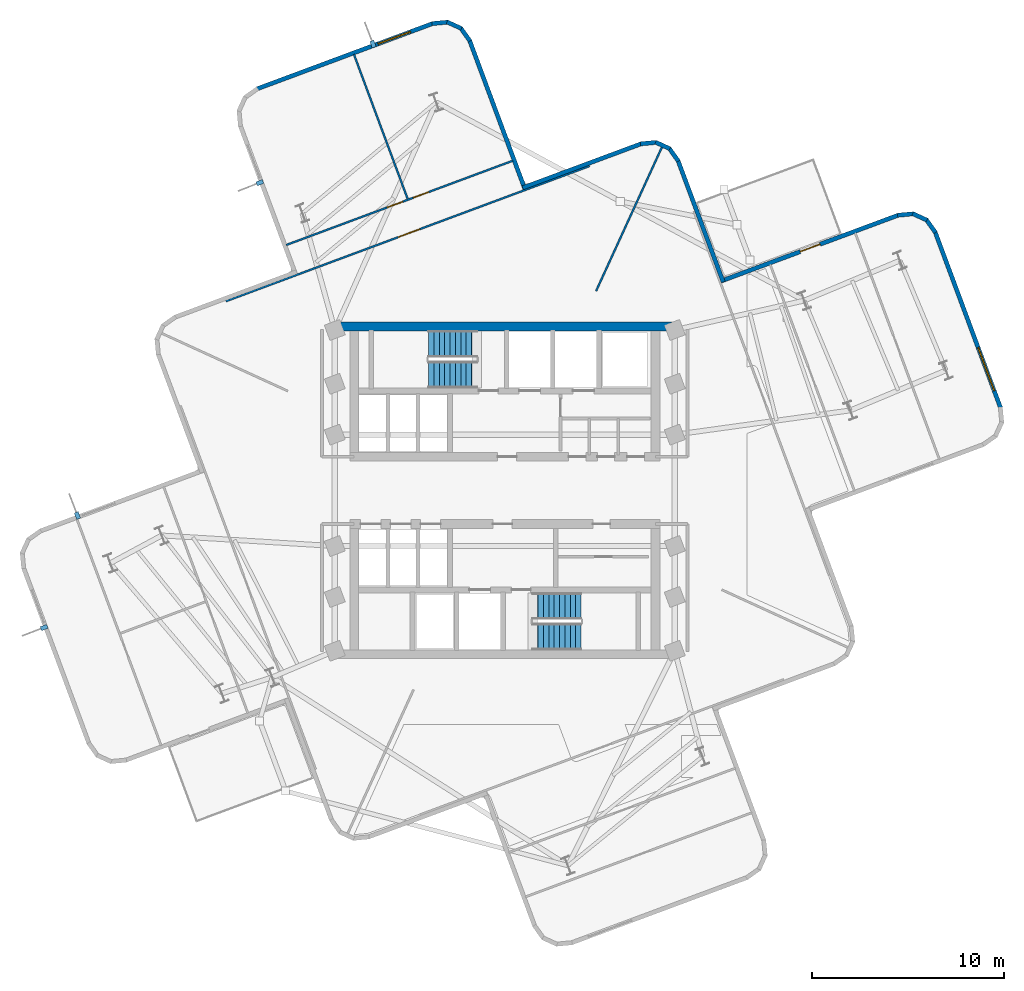
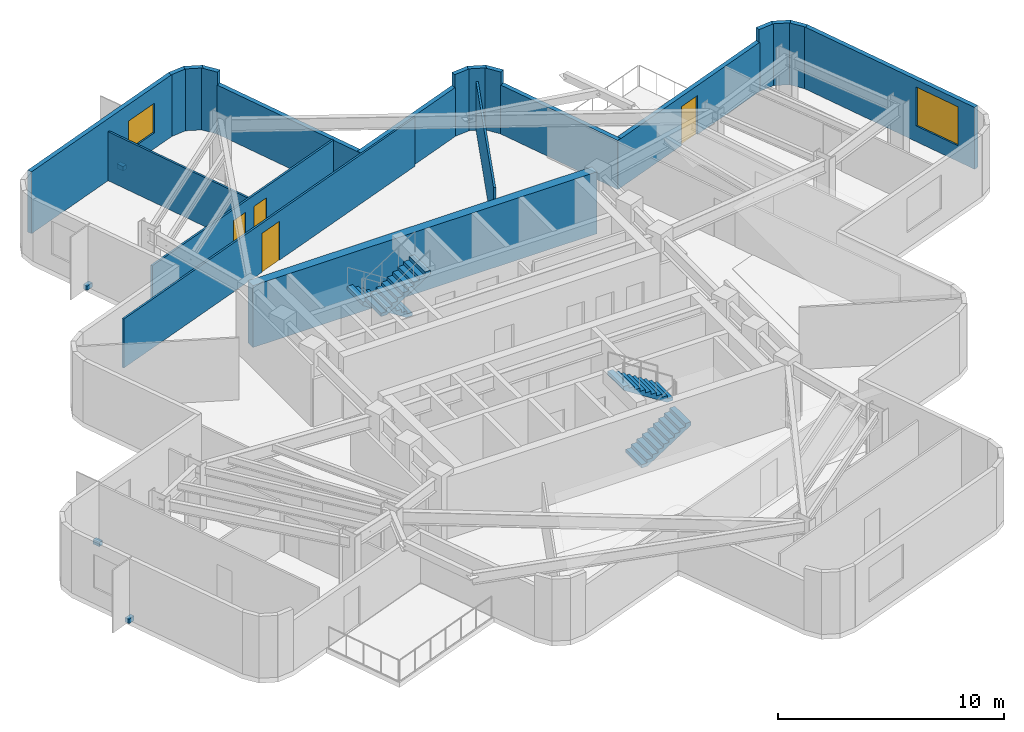
# One storey, part 5 of 8: 20 walls, 4 discrete accessories, 4 doors, 4 stair flights, 2 windows, 6 openings, 2 elements without a shape of their own.
"""IFC4 building model written with IfcOpenShell, lengths in metres."""

from ifc_helpers import new_model, si_unit, direction, frame, frame_2d, origin, origin_2d, place, context, subcontext, project, spatial, polyline, rectangle, outline, extrude, material, layer, layer_set, type_object, element, fill, aggregate, save


model = new_model("IFC4")

# Units and contexts
model_context = context("Model", 3, precision=1e-05, world=origin(), true_north=direction((0.0, 1.0)))
body_context = subcontext(model_context, "Body", "Model", "MODEL_VIEW")
ifc_project = project(units=[si_unit("LENGTHUNIT", "METRE"), si_unit("AREAUNIT", "SQUARE_METRE"), si_unit("VOLUMEUNIT", "CUBIC_METRE"), si_unit("PLANEANGLEUNIT", "RADIAN"), si_unit("MASSUNIT", "GRAM", prefix="KILO")], contexts=[model_context])

# Site, building, storey
site_placement = place(None, origin())
site = spatial("IfcSite", under=ifc_project, at=site_placement, CompositionType="ELEMENT")
building_placement = place(site_placement, origin())
building = spatial("IfcBuilding", under=site, at=building_placement, Name="Solmarez Civic Tower", CompositionType="ELEMENT")
storey_placement = place(building_placement, frame((0.0, 0.0, 166.679931640625)))
storey = spatial("IfcBuildingStorey", under=building, at=storey_placement, Name="L44", CompositionType="ELEMENT", Elevation=166.679931640625)

# Wall
ifc_material_1 = material(Name="Concrete C50/60", Category="concrete")
ifc_layer_1 = layer(ifc_material_1, 0.449951171875)
ifc_layer_set_1 = layer_set([ifc_layer_1], Name="Concrete C50/60")
wall_type_1 = type_object("IfcWallType", Name="WALL-CORE-450", PredefinedType="SHEAR", material=ifc_layer_set_1)
wall_1_placement = place(storey_placement, frame((-8.780029296875, 8.534912109375, 0.0), z_axis=(0.0, 0.0, 1.0), x_axis=(1.0, 0.0, 0.0)))
element("IfcWall", 1, at=wall_1_placement, inside=storey, type_object=wall_type_1, Name="L44 Split-Core Structural Wall NCW-N-L44", PredefinedType="SHEAR", context=body_context, shape_type="SweptSolid", body=[
    extrude(rectangle(XDim=17.56005859375, YDim=0.449951171875, at=frame_2d((8.780029296875, 0.0))), origin(), (0.0, 0.0, 1.0), 3.340087890625),
])

# Wall, opening, window
ifc_material_2 = material(Name="Precast concrete C40/50", Category="concrete")
ifc_layer_2 = layer(ifc_material_2, 0.219970703125)
ifc_layer_set_2 = layer_set([ifc_layer_2], Name="Precast concrete C40/50")
wall_type_2 = type_object("IfcWallType", Name="WALL-EXT-220", PredefinedType="SOLIDWALL", material=ifc_layer_set_2)
wall_2_placement = place(storey_placement, frame((-12.905029296875, 20.902099609375, 0.0), z_axis=(0.0, 0.0, 1.0), x_axis=(0.937245188143, 0.348670987183, 0.0)))
wall_2 = element("IfcWall", 2, at=wall_2_placement, inside=storey, type_object=wall_type_2, Name="L44 Exterior Precast Wall 24", PredefinedType="SOLIDWALL", context=body_context, shape_type="SweptSolid", body=[
    extrude(rectangle(XDim=9.77978515625, YDim=0.219970703125, at=frame_2d((4.889892578125, 0.0))), origin(), (0.0, 0.0, 1.0), 3.340087890625),
])
opening_1_placement = place(wall_2_placement, frame((6.72802734375, 0.0, 0.85009765625)))
opening_1 = element("IfcOpeningElement", 3, at=opening_1_placement, cuts=wall_2, Name="Opening W-12", PredefinedType="OPENING", context=body_context, shape_type="SweptSolid", body=[
    extrude(rectangle(XDim=1.800048828125, YDim=1.60009765625, at=frame_2d((0.89990234375, 0.800048828125))), frame((0.0, 0.119873046875, 0.0), z_axis=(0.0, -1.0, 0.0), x_axis=(1.0, 0.0, 0.0)), (0.0, 0.0, 1.0), 0.239990234375),
])
ifc_material_3 = material(Name="Solar Control Bronze-Tinted Insulating Glass", Category="glass")
window_type_1 = type_object("IfcWindowType", Name="WIN-1800X1600", PartitioningType="SINGLE_PANEL", PredefinedType="WINDOW", material=ifc_material_3)
window_1_placement = place(opening_1_placement, origin())
window_1 = element("IfcWindow", 4, at=window_1_placement, inside=storey, type_object=window_type_1, Name="L44 Exterior Facade Window 24", OverallHeight=1.60009765625, OverallWidth=1.800048828125, PartitioningType="SINGLE_PANEL", PredefinedType="WINDOW", context=body_context, shape_type="SweptSolid", body=[
    extrude(rectangle(XDim=1.800048828125, YDim=1.60009765625, at=frame_2d((0.89990234375, 0.800048828125))), frame((0.0, 0.030029296875, 0.0), z_axis=(0.0, -1.0, 0.0), x_axis=(1.0, 0.0, 0.0)), (0.0, 0.0, 1.0), 0.06005859375),
])
fill(opening_1, window_1)

# Walls
wall_3_placement = place(storey_placement, frame((-3.787109375, 24.301025390625, 0.0), z_axis=(0.0, 0.0, 1.0), x_axis=(0.995637623159, 0.09330446586, 0.0)))
element("IfcWall", 5, at=wall_3_placement, inside=storey, type_object=wall_type_2, Name="L44 Exterior Precast Wall 25", PredefinedType="SOLIDWALL", context=body_context, shape_type="SweptSolid", body=[
    extrude(rectangle(XDim=0.834716796875, YDim=0.219970703125, at=frame_2d((0.41748046875, 0.0))), origin(), (0.0, 0.0, 1.0), 3.340087890625),
])
wall_4_placement = place(storey_placement, frame((-3.00390625, 24.386962890625, 0.0), z_axis=(0.0, 0.0, 1.0), x_axis=(0.909783489843, -0.415083126143, 0.0)))
element("IfcWall", 6, at=wall_4_placement, inside=storey, type_object=wall_type_2, Name="L44 Exterior Precast Wall 26", PredefinedType="SOLIDWALL", context=body_context, shape_type="SweptSolid", body=[
    extrude(rectangle(XDim=0.81884765625, YDim=0.219970703125, at=frame_2d((0.409423828125, 0.0))), origin(), (0.0, 0.0, 1.0), 3.340087890625),
])
wall_5_placement = place(storey_placement, frame((-2.2958984375, 24.076904296875, 0.0), z_axis=(0.0, 0.0, 1.0), x_axis=(0.579048422224, -0.815293152626, 0.0)))
element("IfcWall", 7, at=wall_5_placement, inside=storey, type_object=wall_type_2, Name="L44 Exterior Precast Wall 27", PredefinedType="SOLIDWALL", context=body_context, shape_type="SweptSolid", body=[
    extrude(rectangle(XDim=0.833984375, YDim=0.219970703125, at=frame_2d((0.4169921875, 0.0))), origin(), (0.0, 0.0, 1.0), 3.340087890625),
])
wall_6_placement = place(storey_placement, frame((-1.8359375, 23.43994140625, 0.0), z_axis=(0.0, 0.0, 1.0), x_axis=(0.348617756986, -0.937264988952, 0.0)))
element("IfcWall", 8, at=wall_6_placement, inside=storey, type_object=wall_type_2, Name="L44 Exterior Precast Wall 28", PredefinedType="SOLIDWALL", context=body_context, shape_type="SweptSolid", body=[
    extrude(rectangle(XDim=8.258056640625, YDim=0.219970703125, at=frame_2d((4.12890625, 0.0))), origin(), (0.0, 0.0, 1.0), 2.64404296875),
])
wall_7_placement = place(storey_placement, frame((0.929931640625, 15.7509765625, 0.0), z_axis=(0.0, 0.0, 1.0), x_axis=(0.937223257246, 0.348729932868, 0.0)))
element("IfcWall", 9, at=wall_7_placement, inside=storey, type_object=wall_type_2, Name="L44 Exterior Precast Wall 31", PredefinedType="SOLIDWALL", context=body_context, shape_type="SweptSolid", body=[
    extrude(rectangle(XDim=6.598388671875, YDim=0.219970703125, at=frame_2d((3.29931640625, 0.0))), origin(), (0.0, 0.0, 1.0), 2.64404296875),
])
wall_8_placement = place(storey_placement, frame((7.06591796875, 18.041015625, 0.0), z_axis=(0.0, 0.0, 1.0), x_axis=(0.995637623159, 0.09330446586, 0.0)))
element("IfcWall", 10, at=wall_8_placement, inside=storey, type_object=wall_type_2, Name="L44 Exterior Precast Wall 32", PredefinedType="SOLIDWALL", context=body_context, shape_type="SweptSolid", body=[
    extrude(rectangle(XDim=0.834716796875, YDim=0.219970703125, at=frame_2d((0.41748046875, 0.0))), origin(), (0.0, 0.0, 1.0), 3.340087890625),
])
wall_9_placement = place(storey_placement, frame((7.84912109375, 18.126953125, 0.0), z_axis=(0.0, 0.0, 1.0), x_axis=(0.909783489843, -0.415083126143, 0.0)))
element("IfcWall", 11, at=wall_9_placement, inside=storey, type_object=wall_type_2, Name="L44 Exterior Precast Wall 33", PredefinedType="SOLIDWALL", context=body_context, shape_type="SweptSolid", body=[
    extrude(rectangle(XDim=0.81884765625, YDim=0.219970703125, at=frame_2d((0.409423828125, 0.0))), origin(), (0.0, 0.0, 1.0), 3.340087890625),
])
wall_10_placement = place(storey_placement, frame((8.556884765625, 17.81689453125, 0.0), z_axis=(0.0, 0.0, 1.0), x_axis=(0.579017424022, -0.815315167698, 0.0)))
element("IfcWall", 12, at=wall_10_placement, inside=storey, type_object=wall_type_2, Name="L44 Exterior Precast Wall 34", PredefinedType="SOLIDWALL", context=body_context, shape_type="SweptSolid", body=[
    extrude(rectangle(XDim=0.832763671875, YDim=0.219970703125, at=frame_2d((0.41650390625, 0.0))), origin(), (0.0, 0.0, 1.0), 3.340087890625),
])
wall_11_placement = place(storey_placement, frame((9.01611328125, 17.180908203125, 0.0), z_axis=(0.0, 0.0, 1.0), x_axis=(0.34874699486, -0.937216908499, 0.0)))
element("IfcWall", 13, at=wall_11_placement, inside=storey, type_object=wall_type_2, Name="L44 Exterior Precast Wall 35", PredefinedType="SOLIDWALL", context=body_context, shape_type="SweptSolid", body=[
    extrude(rectangle(XDim=6.75830078125, YDim=0.219970703125, at=frame_2d((3.379150390625, 0.0))), origin(), (0.0, 0.0, 1.0), 2.64404296875),
])

# Wall, opening, door
wall_12_placement = place(storey_placement, frame((11.260009765625, 10.89794921875, 0.0), z_axis=(0.0, 0.0, 1.0), x_axis=(0.937247074189, 0.348665917354, 0.0)))
wall_12 = element("IfcWall", 14, at=wall_12_placement, inside=storey, type_object=wall_type_2, Name="L44 Exterior Precast Wall 38", PredefinedType="SOLIDWALL", context=body_context, shape_type="SweptSolid", body=[
    extrude(rectangle(XDim=9.857666015625, YDim=0.219970703125, at=frame_2d((4.9287109375, 0.0))), origin(), (0.0, 0.0, 1.0), 2.64404296875),
])
opening_2_placement = place(wall_12_placement, frame((4.39990234375, 0.0, 0.0)))
opening_2 = element("IfcOpeningElement", 15, at=opening_2_placement, cuts=wall_12, Name="Opening D-06", PredefinedType="OPENING", context=body_context, shape_type="SweptSolid", body=[
    extrude(rectangle(XDim=1.10009765625, YDim=2.10009765625, at=frame_2d((0.550048828125, 1.050048828125))), frame((0.0, 0.119873046875, 0.0), z_axis=(0.0, -1.0, 0.0), x_axis=(1.0, 0.0, 0.0)), (0.0, 0.0, 1.0), 0.239990234375),
])
ifc_material_4 = material(Name="Bronze Anodised Aluminium Glazed Terrace Door", Category="aluminium")
door_type_1 = type_object("IfcDoorType", Name="DOOR-TERR-1100", OperationType="NOTDEFINED", PredefinedType="DOOR", material=ifc_material_4)
door_1_placement = place(opening_2_placement, origin())
door_1 = element("IfcDoor", 16, at=door_1_placement, inside=storey, type_object=door_type_1, Name="L44 Outdoor Terrace Glazed Door", OperationType="SINGLE_SWING_RIGHT", OverallHeight=2.10009765625, OverallWidth=1.10009765625, PredefinedType="DOOR", context=body_context, shape_type="SweptSolid", body=[
    extrude(rectangle(XDim=1.10009765625, YDim=2.10009765625, at=frame_2d((0.550048828125, 1.050048828125))), frame((0.0, 0.02490234375, 0.0), z_axis=(0.0, -1.0, 0.0), x_axis=(1.0, 0.0, 0.0)), (0.0, 0.0, 1.0), 0.050048828125),
])
fill(opening_2, door_1)

# Walls
wall_13_placement = place(storey_placement, frame((20.450927734375, 14.323974609375, 0.0), z_axis=(0.0, 0.0, 1.0), x_axis=(0.99561041007, 0.093594398126, 0.0)))
element("IfcWall", 17, at=wall_13_placement, inside=storey, type_object=wall_type_2, Name="L44 Exterior Precast Wall 39", PredefinedType="SOLIDWALL", context=body_context, shape_type="SweptSolid", body=[
    extrude(rectangle(XDim=0.834716796875, YDim=0.219970703125, at=frame_2d((0.41748046875, 0.0))), origin(), (0.0, 0.0, 1.0), 3.340087890625),
])
wall_14_placement = place(storey_placement, frame((21.23388671875, 14.409912109375, 0.0), z_axis=(0.0, 0.0, 1.0), x_axis=(0.909384320786, -0.415956917371, 0.0)))
element("IfcWall", 18, at=wall_14_placement, inside=storey, type_object=wall_type_2, Name="L44 Exterior Precast Wall 40", PredefinedType="SOLIDWALL", context=body_context, shape_type="SweptSolid", body=[
    extrude(rectangle(XDim=0.8193359375, YDim=0.219970703125, at=frame_2d((0.40966796875, 0.0))), origin(), (0.0, 0.0, 1.0), 3.340087890625),
])
wall_15_placement = place(storey_placement, frame((21.94091796875, 14.09912109375, 0.0), z_axis=(0.0, 0.0, 1.0), x_axis=(0.581210523844, -0.813753234693, 0.0)))
element("IfcWall", 19, at=wall_15_placement, inside=storey, type_object=wall_type_2, Name="L44 Exterior Precast Wall 41", PredefinedType="SOLIDWALL", context=body_context, shape_type="SweptSolid", body=[
    extrude(rectangle(XDim=0.834716796875, YDim=0.219970703125, at=frame_2d((0.41748046875, 0.0))), origin(), (0.0, 0.0, 1.0), 3.340087890625),
])

# Wall, opening, window
wall_16_placement = place(storey_placement, frame((22.402099609375, 13.462890625, 0.0), z_axis=(0.0, 0.0, 1.0), x_axis=(0.348638358175, -0.937257326037, 0.0)))
wall_16 = element("IfcWall", 20, at=wall_16_placement, inside=storey, type_object=wall_type_2, Name="L44 Exterior Precast Wall 42", PredefinedType="SOLIDWALL", context=body_context, shape_type="SweptSolid", body=[
    extrude(rectangle(XDim=9.78076171875, YDim=0.219970703125, at=frame_2d((4.890380859375, 0.0))), origin(), (0.0, 0.0, 1.0), 3.340087890625),
])
opening_3_placement = place(wall_16_placement, frame((6.428955078125, 0.0, 0.85009765625)))
opening_3 = element("IfcOpeningElement", 21, at=opening_3_placement, cuts=wall_16, Name="Opening W-02", PredefinedType="OPENING", context=body_context, shape_type="SweptSolid", body=[
    extrude(rectangle(XDim=2.39990234375, YDim=2.10009765625, at=frame_2d((1.199951171875, 1.050048828125))), frame((0.0, 0.119873046875, 0.0), z_axis=(0.0, -1.0, 0.0), x_axis=(1.0, 0.0, 0.0)), (0.0, 0.0, 1.0), 0.239990234375),
])
window_type_2 = type_object("IfcWindowType", Name="WIN-2400X2100", PartitioningType="SINGLE_PANEL", PredefinedType="WINDOW", material=ifc_material_3)
window_2_placement = place(opening_3_placement, origin())
window_2 = element("IfcWindow", 22, at=window_2_placement, inside=storey, type_object=window_type_2, Name="L44 Exterior Facade Window 42", OverallHeight=2.10009765625, OverallWidth=2.39990234375, PartitioningType="SINGLE_PANEL", PredefinedType="WINDOW", context=body_context, shape_type="SweptSolid", body=[
    extrude(rectangle(XDim=2.39990234375, YDim=2.10009765625, at=frame_2d((1.199951171875, 1.050048828125))), frame((0.0, 0.030029296875, 0.0), z_axis=(0.0, -1.0, 0.0), x_axis=(1.0, 0.0, 0.0)), (0.0, 0.0, 1.0), 0.06005859375),
])
fill(opening_3, window_2)

# Wall
ifc_material_5 = material(Name="Gypsum Board Acoustic Steel-Stud Partition", Category="steel")
ifc_layer_3 = layer(ifc_material_5, 0.10009765625)
ifc_layer_set_3 = layer_set([ifc_layer_3], Name="Gypsum Board Acoustic Steel-Stud Partition")
wall_type_3 = type_object("IfcWallType", Name="WALL-INT-PART-100", PredefinedType="PARTITIONING", material=ifc_layer_set_3)
wall_17_placement = place(storey_placement, frame((4.7529296875, 10.3798828125, 0.0), z_axis=(0.0, 0.0, 1.0), x_axis=(0.416191484634, 0.909276991966, 0.0)))
element("IfcWall", 23, at=wall_17_placement, inside=storey, type_object=wall_type_3, Name="L44 Interior Partition PT-L44-QDIV-1", PredefinedType="PARTITIONING", context=body_context, shape_type="SweptSolid", body=[
    extrude(rectangle(XDim=8.25830078125, YDim=0.10009765625, at=frame_2d((4.129150390625, 0.0))), origin(), (0.0, 0.0, 1.0), 2.64404296875),
])

# Wall, opening, door
wall_18_placement = place(storey_placement, frame((-14.52197265625, 9.845947265625, 0.0), z_axis=(0.0, 0.0, 1.0), x_axis=(0.937292757866, 0.348543090668, 0.0)))
wall_18 = element("IfcWall", 24, at=wall_18_placement, inside=storey, type_object=wall_type_3, Name="L44 Interior Partition PT-L44-N-ENT", PredefinedType="PARTITIONING", context=body_context, shape_type="SweptSolid", body=[
    extrude(rectangle(XDim=20.198486328125, YDim=0.10009765625, at=frame_2d((10.09912109375, 0.0))), origin(), (0.0, 0.0, 1.0), 2.64404296875),
])
opening_4_placement = place(wall_18_placement, frame((9.5791015625, 0.0, 0.0)))
opening_4 = element("IfcOpeningElement", 25, at=opening_4_placement, cuts=wall_18, Name="Opening D-11", PredefinedType="OPENING", context=body_context, shape_type="SweptSolid", body=[
    extrude(rectangle(XDim=1.199951171875, YDim=2.10009765625, at=frame_2d((0.60009765625, 1.050048828125))), frame((0.0, 0.06005859375, 0.0), z_axis=(0.0, -1.0, 0.0), x_axis=(1.0, 0.0, 0.0)), (0.0, 0.0, 1.0), 0.1201171875),
])
ifc_material_6 = material(Name="Glazed-Vision Acoustic Chamber Door", Category="wood")
door_type_2 = type_object("IfcDoorType", Name="DOOR-INT-1200", OperationType="NOTDEFINED", PredefinedType="DOOR", material=ifc_material_6)
door_2_placement = place(opening_4_placement, origin())
door_2 = element("IfcDoor", 26, at=door_2_placement, inside=storey, type_object=door_type_2, Name="L44 Breakout Huddle Room First North Door", OperationType="SINGLE_SWING_LEFT", OverallHeight=2.10009765625, OverallWidth=1.199951171875, PredefinedType="DOOR", context=body_context, shape_type="SweptSolid", body=[
    extrude(rectangle(XDim=1.199951171875, YDim=2.10009765625, at=frame_2d((0.60009765625, 1.050048828125))), frame((0.0, 0.02490234375, 0.0), z_axis=(0.0, -1.0, 0.0), x_axis=(1.0, 0.0, 0.0)), (0.0, 0.0, 1.0), 0.050048828125),
])
fill(opening_4, door_2)

# Wall
wall_19_placement = place(storey_placement, frame((-5.06201171875, 15.18798828125, 0.0), z_axis=(0.0, 0.0, 1.0), x_axis=(-0.348454946531, 0.937325530559, 0.0)))
element("IfcWall", 27, at=wall_19_placement, inside=storey, type_object=wall_type_3, Name="L44 Interior Partition PT-L44-N-TSP", PredefinedType="PARTITIONING", context=body_context, shape_type="SweptSolid", body=[
    extrude(rectangle(XDim=8.015380859375, YDim=0.10009765625, at=frame_2d((4.0078125, 0.0))), origin(), (0.0, 0.0, 1.0), 2.64404296875),
])

# Wall, openings, doors
wall_20_placement = place(storey_placement, frame((0.4189453125, 17.1630859375, 0.0), z_axis=(0.0, 0.0, 1.0), x_axis=(-0.937262231235, -0.348625171066, 0.0)))
wall_20 = element("IfcWall", 28, at=wall_20_placement, inside=storey, type_object=wall_type_3, Name="L44 Interior Partition PT-L44-N-SCUT", PredefinedType="PARTITIONING", context=body_context, shape_type="SweptSolid", body=[
    extrude(rectangle(XDim=12.58984375, YDim=0.10009765625, at=frame_2d((6.294921875, 0.0))), origin(), (0.0, 0.0, 1.0), 2.64404296875),
])
opening_5_placement = place(wall_20_placement, frame((4.675048828125, 0.0, 0.0)))
opening_5 = element("IfcOpeningElement", 29, at=opening_5_placement, cuts=wall_20, Name="Opening D-14", PredefinedType="OPENING", context=body_context, shape_type="SweptSolid", body=[
    extrude(rectangle(XDim=0.860107421875, YDim=2.0400390625, at=frame_2d((0.43017578125, 1.02001953125))), frame((0.0, 0.06005859375, 0.0), z_axis=(0.0, -1.0, 0.0), x_axis=(1.0, 0.0, 0.0)), (0.0, 0.0, 1.0), 0.1201171875),
])
opening_6_placement = place(wall_20_placement, frame((6.114990234375, 0.0, 0.0)))
opening_6 = element("IfcOpeningElement", 30, at=opening_6_placement, cuts=wall_20, Name="Opening D-14", PredefinedType="OPENING", context=body_context, shape_type="SweptSolid", body=[
    extrude(rectangle(XDim=0.860107421875, YDim=2.0400390625, at=frame_2d((0.43017578125, 1.02001953125))), frame((0.0, 0.06005859375, 0.0), z_axis=(0.0, -1.0, 0.0), x_axis=(1.0, 0.0, 0.0)), (0.0, 0.0, 1.0), 0.1201171875),
])
ifc_material_7 = material(Name="Timber Storage and Pantry Door", Category="wood")
door_type_3 = type_object("IfcDoorType", Name="DOOR-INT-850", OperationType="NOTDEFINED", PredefinedType="DOOR", material=ifc_material_7)
door_3_placement = place(opening_5_placement, origin())
door_3 = element("IfcDoor", 31, at=door_3_placement, inside=storey, type_object=door_type_3, Name="L44 Staff Tea Pantry Third North Door", OperationType="SINGLE_SWING_RIGHT", OverallHeight=2.0400390625, OverallWidth=0.860107421875, PredefinedType="DOOR", context=body_context, shape_type="SweptSolid", body=[
    extrude(rectangle(XDim=0.860107421875, YDim=2.0400390625, at=frame_2d((0.43017578125, 1.02001953125))), frame((0.0, 0.02490234375, 0.0), z_axis=(0.0, -1.0, 0.0), x_axis=(1.0, 0.0, 0.0)), (0.0, 0.0, 1.0), 0.050048828125),
])
fill(opening_5, door_3)
door_4_placement = place(opening_6_placement, origin())
door_4 = element("IfcDoor", 32, at=door_4_placement, inside=storey, type_object=door_type_3, Name="L44 Municipal Mailroom Second North Door", OperationType="SINGLE_SWING_LEFT", OverallHeight=2.0400390625, OverallWidth=0.860107421875, PredefinedType="DOOR", context=body_context, shape_type="SweptSolid", body=[
    extrude(rectangle(XDim=0.860107421875, YDim=2.0400390625, at=frame_2d((0.43017578125, 1.02001953125))), frame((0.0, 0.02490234375, 0.0), z_axis=(0.0, -1.0, 0.0), x_axis=(1.0, 0.0, 0.0)), (0.0, 0.0, 1.0), 0.050048828125),
])
fill(opening_6, door_4)

# Stair, stair flights
stair_type = type_object("IfcStairType", Name="STAIR-DOGLEG-140W-20R-1800", PredefinedType="HALF_TURN_STAIR", material=ifc_material_1)
stair_1_placement = place(storey_placement, origin())
stair_1 = element("IfcStair", 33, at=stair_1_placement, inside=storey, type_object=stair_type, Name="L44 North Core Protected Exit Stair ST-1", PredefinedType="HALF_TURN_STAIR")
stair_flight_type = type_object("IfcStairFlightType", Name="FLIGHT-DOGLEG-140W-10R-1800", PredefinedType="STRAIGHT", material=ifc_material_1)
stair_flight_1_placement = place(storey_placement, frame((-1.449951171875, 7.6201171875, 0.0), z_axis=(0.0, 0.0, 1.0), x_axis=(-1.0, 0.0, 0.0)))
stair_flight_1 = element("IfcStairFlight", 34, at=stair_flight_1_placement, type_object=stair_flight_type, Name="ST-1 flight 1", NumberOfRisers=10, NumberOfTreads=9, PredefinedType="STRAIGHT", RiserHeight=0.18, TreadLength=0.28, context=body_context, shape_type="SweptSolid", body=[
    extrude(outline(polyline([(0.0, 0.0), (0.0, 0.179931640625), (0.280029296875, 0.179931640625), (0.280029296875, 0.360107421875), (0.56005859375, 0.360107421875), (0.56005859375, 0.5400390625), (0.840087890625, 0.5400390625), (0.840087890625, 0.719970703125), (1.1201171875, 0.719970703125), (1.1201171875, 0.89990234375), (1.39990234375, 0.89990234375), (1.39990234375, 1.080078125), (1.679931640625, 1.080078125), (1.679931640625, 1.260009765625), (1.9599609375, 1.260009765625), (1.9599609375, 1.43994140625), (2.239990234375, 1.43994140625), (2.239990234375, 1.6201171875), (2.52001953125, 1.6201171875), (2.52001953125, 1.800048828125), (2.52001953125, 1.429931640625), (0.295654296875, 0.0), (0.0, 0.0)])), frame((0.0, 0.699951171875, 0.0), z_axis=(0.0, -1.0, 0.0), x_axis=(1.0, 0.0, 0.0)), (0.0, 0.0, 1.0), 1.39990234375),
])
stair_flight_2_placement = place(storey_placement, frame((-3.969970703125, 6.02001953125, 1.800048828125), z_axis=(0.0, 0.0, 1.0), x_axis=(1.0, 0.0, 0.0)))
stair_flight_2 = element("IfcStairFlight", 35, at=stair_flight_2_placement, type_object=stair_flight_type, Name="ST-1 flight 2", NumberOfRisers=10, NumberOfTreads=9, PredefinedType="STRAIGHT", RiserHeight=0.18, TreadLength=0.28, context=body_context, shape_type="SweptSolid", body=[
    extrude(outline(polyline([(0.0, 0.0), (0.0, 0.179931640625), (0.280029296875, 0.179931640625), (0.280029296875, 0.360107421875), (0.56005859375, 0.360107421875), (0.56005859375, 0.5400390625), (0.840087890625, 0.5400390625), (0.840087890625, 0.719970703125), (1.1201171875, 0.719970703125), (1.1201171875, 0.89990234375), (1.39990234375, 0.89990234375), (1.39990234375, 1.080078125), (1.679931640625, 1.080078125), (1.679931640625, 1.260009765625), (1.9599609375, 1.260009765625), (1.9599609375, 1.43994140625), (2.239990234375, 1.43994140625), (2.239990234375, 1.6201171875), (2.52001953125, 1.6201171875), (2.52001953125, 1.800048828125), (2.52001953125, 1.429931640625), (0.295654296875, 0.0), (0.0, 0.0)])), frame((0.0, 0.699951171875, 0.0), z_axis=(0.0, -1.0, 0.0), x_axis=(1.0, 0.0, 0.0)), (0.0, 0.0, 1.0), 1.39990234375),
])
aggregate(stair_1, [stair_flight_1, stair_flight_2])

stair_2_placement = place(storey_placement, origin())
stair_2 = element("IfcStair", 36, at=stair_2_placement, inside=storey, type_object=stair_type, Name="L44 South Core Protected Exit Stair ST-2", PredefinedType="HALF_TURN_STAIR")
stair_flight_3_placement = place(storey_placement, frame((1.449951171875, -7.6201171875, 0.0), z_axis=(0.0, 0.0, 1.0), x_axis=(1.0, 0.0, 0.0)))
stair_flight_3 = element("IfcStairFlight", 37, at=stair_flight_3_placement, type_object=stair_flight_type, Name="ST-2 flight 1", NumberOfRisers=10, NumberOfTreads=9, PredefinedType="STRAIGHT", RiserHeight=0.18, TreadLength=0.28, context=body_context, shape_type="SweptSolid", body=[
    extrude(outline(polyline([(0.0, 0.0), (0.0, 0.179931640625), (0.280029296875, 0.179931640625), (0.280029296875, 0.360107421875), (0.56005859375, 0.360107421875), (0.56005859375, 0.5400390625), (0.840087890625, 0.5400390625), (0.840087890625, 0.719970703125), (1.1201171875, 0.719970703125), (1.1201171875, 0.89990234375), (1.39990234375, 0.89990234375), (1.39990234375, 1.080078125), (1.679931640625, 1.080078125), (1.679931640625, 1.260009765625), (1.9599609375, 1.260009765625), (1.9599609375, 1.43994140625), (2.239990234375, 1.43994140625), (2.239990234375, 1.6201171875), (2.52001953125, 1.6201171875), (2.52001953125, 1.800048828125), (2.52001953125, 1.429931640625), (0.295654296875, 0.0), (0.0, 0.0)])), frame((0.0, 0.699951171875, 0.0), z_axis=(0.0, -1.0, 0.0), x_axis=(1.0, 0.0, 0.0)), (0.0, 0.0, 1.0), 1.39990234375),
])
stair_flight_4_placement = place(storey_placement, frame((3.969970703125, -6.02001953125, 1.800048828125), z_axis=(0.0, 0.0, 1.0), x_axis=(-1.0, 0.0, 0.0)))
stair_flight_4 = element("IfcStairFlight", 38, at=stair_flight_4_placement, type_object=stair_flight_type, Name="ST-2 flight 2", NumberOfRisers=10, NumberOfTreads=9, PredefinedType="STRAIGHT", RiserHeight=0.18, TreadLength=0.28, context=body_context, shape_type="SweptSolid", body=[
    extrude(outline(polyline([(0.0, 0.0), (0.0, 0.179931640625), (0.280029296875, 0.179931640625), (0.280029296875, 0.360107421875), (0.56005859375, 0.360107421875), (0.56005859375, 0.5400390625), (0.840087890625, 0.5400390625), (0.840087890625, 0.719970703125), (1.1201171875, 0.719970703125), (1.1201171875, 0.89990234375), (1.39990234375, 0.89990234375), (1.39990234375, 1.080078125), (1.679931640625, 1.080078125), (1.679931640625, 1.260009765625), (1.9599609375, 1.260009765625), (1.9599609375, 1.43994140625), (2.239990234375, 1.43994140625), (2.239990234375, 1.6201171875), (2.52001953125, 1.6201171875), (2.52001953125, 1.800048828125), (2.52001953125, 1.429931640625), (0.295654296875, 0.0), (0.0, 0.0)])), frame((0.0, 0.699951171875, 0.0), z_axis=(0.0, -1.0, 0.0), x_axis=(1.0, 0.0, 0.0)), (0.0, 0.0, 1.0), 1.39990234375),
])
aggregate(stair_2, [stair_flight_3, stair_flight_4])

# Discrete accessories
ifc_material_8 = material(Name="Stainless Steel Grade 1.4401", Category="steel")
discrete_accessory_type = type_object("IfcDiscreteAccessoryType", Name="BRACKET-SS-FIN", PredefinedType="BRACKET", material=ifc_material_8)
for number, where, z_axis, x_axis, name in (
    (39, (-23.985107421875, -7.139892578125, -0.06005859375), (0.0, 0.0, 1.0), (-0.937271835507, -0.348599349347, 0.0), "L44 Stainless Fin Support Bracket FIN-L44-01"),
    (40, (-22.25, -1.30810546875, -0.06005859375), (0.0, 0.0, 1.0), (-0.348537328549, 0.937294900556, 0.0), "L44 Stainless Fin Support Bracket FIN-L44-02"),
    (41, (-12.7529296875, 16.01904296875, -0.06005859375), (0.0, 0.0, 1.0), (-0.937284362174, -0.348565667307, 0.0), "L44 Stainless Fin Support Bracket FIN-L44-03"),
    (42, (-6.861083984375, 23.235107421875, -0.06005859375), (0.0, 0.0, 1.0), (-0.348599349347, 0.937271835507, 0.0), "L44 Stainless Fin Support Bracket FIN-L44-04"),
):
    element("IfcDiscreteAccessory", number, at=place(storey_placement, frame(where, z_axis=z_axis, x_axis=x_axis)), inside=storey, type_object=discrete_accessory_type, Name=name, PredefinedType="BRACKET", context=body_context, shape_type="SweptSolid", body=[
        extrude(rectangle(XDim=0.360107421875, YDim=0.219970703125, at=origin_2d()), origin(), (0.0, 0.0, 1.0), 0.239990234375),
    ])

save(model, "model.ifc")
